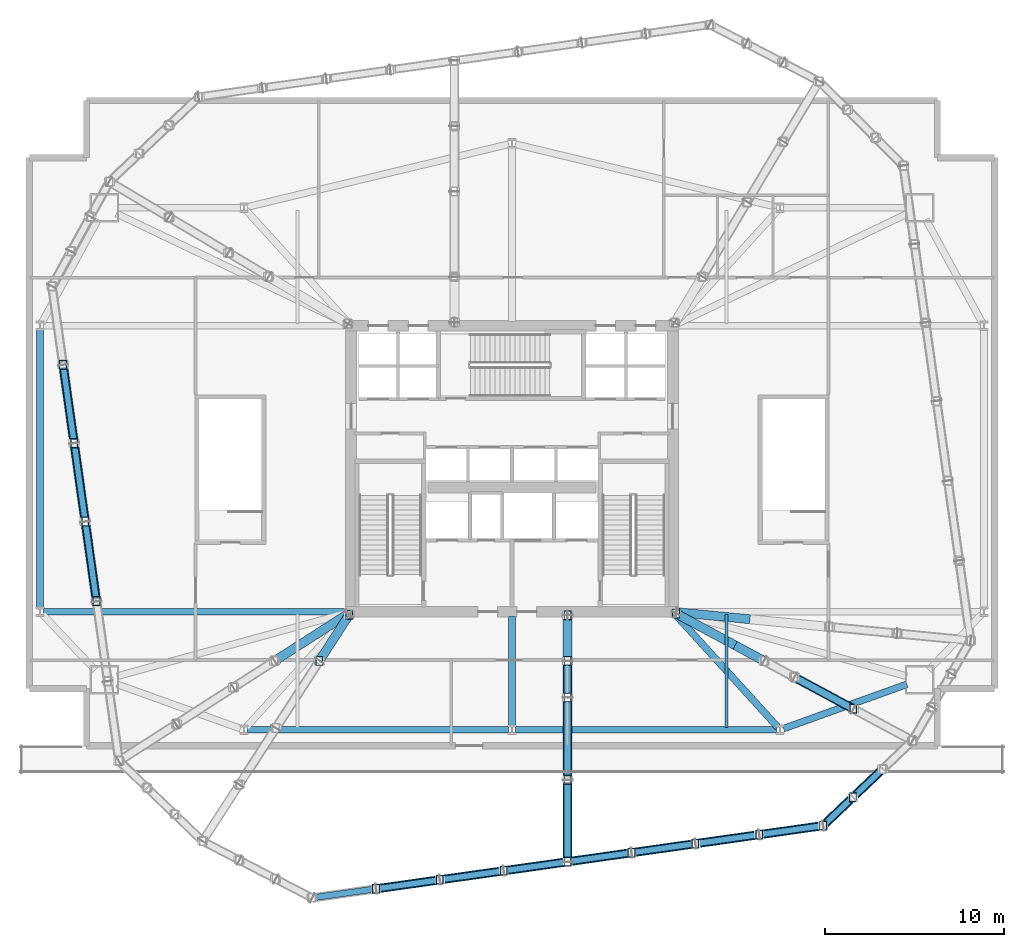
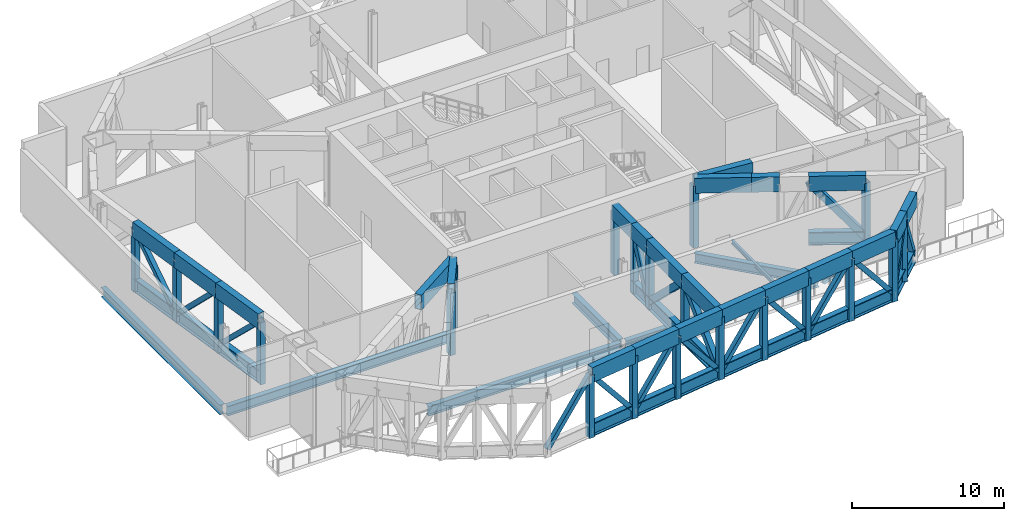
# One storey, part 2 of 15: 76 members, 8 beams.
"""IFC4 building model written with IfcOpenShell, lengths in metres."""

from ifc_helpers import new_model, si_unit, direction, frame, origin, origin_2d, place, context, subcontext, project, spatial, hollow_rectangle, i_section, extrude, material, material_profile, profile_set, type_object, element, save


model = new_model("IFC4")

# Units and contexts
model_context = context("Model", 3, precision=1e-05, world=origin(), true_north=direction((0.0, 1.0)))
body_context = subcontext(model_context, "Body", "Model", "MODEL_VIEW")
ifc_project = project(units=[si_unit("LENGTHUNIT", "METRE"), si_unit("AREAUNIT", "SQUARE_METRE"), si_unit("VOLUMEUNIT", "CUBIC_METRE"), si_unit("PLANEANGLEUNIT", "RADIAN"), si_unit("MASSUNIT", "GRAM", prefix="KILO")], contexts=[model_context])

# Site, building, storey
site_placement = place(None, origin())
site = spatial("IfcSite", under=ifc_project, at=site_placement, CompositionType="ELEMENT")
building_placement = place(site_placement, origin())
building = spatial("IfcBuilding", under=site, at=building_placement, Name="Haldenkirk Collegiate Tower", CompositionType="ELEMENT")
storey_placement = place(building_placement, frame((0.0, 0.0, 22.199951171875)))
storey = spatial("IfcBuildingStorey", under=building, at=storey_placement, Name="L04", CompositionType="ELEMENT", Elevation=22.199951171875)

# Beams
ifc_material_1 = material(Name="Steel ASTM A992 Grade 50", Category="steel")
ifc_material_profile_1 = material_profile(ifc_material_1, i_section(OverallWidth=0.381103515625, OverallDepth=0.77294921875, WebThickness=0.0166015625, FlangeThickness=0.027099609375, at=origin_2d()), Name="W30X173")
ifc_profile_set_1 = profile_set([ifc_material_profile_1], Name="Steel ASTM A992 Grade 50")
beam_type_1 = type_object("IfcBeamType", Name="BM-GIRDER-W30X173", PredefinedType="BEAM", material=ifc_profile_set_1)
for number, where, z_axis, x_axis, name in (
    (1, (21.199951171875, 11.39990234375, -0.806396484375), (1.0, 0.0, 0.0), (0.0, 1.0, 0.0), "L04 podium ring girder 02"),
    (2, (36.199951171875, 11.39990234375, -0.806396484375), (1.0, 0.0, 0.0), (0.0, 1.0, 0.0), "L04 podium ring girder 03"),
):
    element("IfcBeam", number, at=place(storey_placement, frame(where, z_axis=z_axis, x_axis=x_axis)), inside=storey, type_object=beam_type_1, Name=name, PredefinedType="BEAM", context=body_context, shape_type="SweptSolid", body=[
        extrude(i_section(OverallWidth=0.381103515625, OverallDepth=0.77294921875, WebThickness=0.0166015625, FlangeThickness=0.027099609375, at=origin_2d()), origin(), (0.0, 0.0, 1.0), 14.60009765625),
    ])
beam_1_placement = place(storey_placement, frame((51.188232421875, 11.467529296875, -0.806396484375), z_axis=(0.941194128141, 0.337866265189, 0.0), x_axis=(-0.337866265189, 0.941194128141, 0.0)))
element("IfcBeam", 3, at=beam_1_placement, inside=storey, type_object=beam_type_1, Name="L04 podium ring girder 04", PredefinedType="BEAM", context=body_context, shape_type="SweptSolid", body=[
    extrude(i_section(OverallWidth=0.381103515625, OverallDepth=0.77294921875, WebThickness=0.0166015625, FlangeThickness=0.027099609375, at=origin_2d()), origin(), (0.0, 0.0, 1.0), 7.337158203125),
])
beam_2_placement = place(storey_placement, frame((9.60009765625, 33.800048828125, -0.806396484375), z_axis=(0.0, -1.0, 0.0), x_axis=(1.0, 0.0, 0.0)))
element("IfcBeam", 4, at=beam_2_placement, inside=storey, type_object=beam_type_1, Name="L04 podium ring girder 13", PredefinedType="BEAM", context=body_context, shape_type="SweptSolid", body=[
    extrude(i_section(OverallWidth=0.381103515625, OverallDepth=0.77294921875, WebThickness=0.0166015625, FlangeThickness=0.027099609375, at=origin_2d()), origin(), (0.0, 0.0, 1.0), 15.60009765625),
])
beam_3_placement = place(storey_placement, frame((9.800048828125, 18.0, -0.806396484375), z_axis=(1.0, 0.0, 0.0), x_axis=(0.0, 1.0, 0.0)))
element("IfcBeam", 5, at=beam_3_placement, inside=storey, type_object=beam_type_1, Name="L04 podium radial girder 01", PredefinedType="BEAM", context=body_context, shape_type="SweptSolid", body=[
    extrude(i_section(OverallWidth=0.381103515625, OverallDepth=0.77294921875, WebThickness=0.0166015625, FlangeThickness=0.027099609375, at=origin_2d()), origin(), (0.0, 0.0, 1.0), 16.949951171875),
])
beam_4_placement = place(storey_placement, frame((36.0, 11.60009765625, -0.806396484375), z_axis=(0.0, 1.0, 0.0), x_axis=(-1.0, 0.0, 0.0)))
element("IfcBeam", 6, at=beam_4_placement, inside=storey, type_object=beam_type_1, Name="L04 podium radial girder 05", PredefinedType="BEAM", context=body_context, shape_type="SweptSolid", body=[
    extrude(i_section(OverallWidth=0.381103515625, OverallDepth=0.77294921875, WebThickness=0.0166015625, FlangeThickness=0.027099609375, at=origin_2d()), origin(), (0.0, 0.0, 1.0), 6.14990234375),
])
beam_5_placement = place(storey_placement, frame((50.865478515625, 11.548095703125, -0.806396484375), z_axis=(-0.672681402593, 0.739932247307, 0.0), x_axis=(-0.739932247307, -0.672681402593, 0.0)))
element("IfcBeam", 7, at=beam_5_placement, inside=storey, type_object=beam_type_1, Name="L04 podium radial girder 08", PredefinedType="BEAM", context=body_context, shape_type="SweptSolid", body=[
    extrude(i_section(OverallWidth=0.381103515625, OverallDepth=0.77294921875, WebThickness=0.0166015625, FlangeThickness=0.027099609375, at=origin_2d()), origin(), (0.0, 0.0, 1.0), 8.469482421875),
])
ifc_material_profile_2 = material_profile(ifc_material_1, i_section(OverallWidth=0.1650390625, OverallDepth=0.31005859375, WebThickness=0.005859375, FlangeThickness=0.009765625, at=origin_2d()), Name="W12X26")
ifc_profile_set_2 = profile_set([ifc_material_profile_2], Name="Steel ASTM A992 Grade 50")
beam_type_2 = type_object("IfcBeamType", Name="BM-JOIST-W12X26", PredefinedType="JOIST", material=ifc_profile_set_2)
beam_6_placement = place(storey_placement, frame((48.0, 11.5400390625, -0.574951171875), z_axis=(0.0, 1.0, 0.0), x_axis=(-1.0, 0.0, 0.0)))
element("IfcBeam", 8, at=beam_6_placement, inside=storey, type_object=beam_type_2, Name="L04 south bay floor joist 2", PredefinedType="JOIST", context=body_context, shape_type="SweptSolid", body=[
    extrude(i_section(OverallWidth=0.1650390625, OverallDepth=0.31005859375, WebThickness=0.005859375, FlangeThickness=0.009765625, at=origin_2d()), origin(), (0.0, 0.0, 1.0), 6.320068359375),
])

# Members
ifc_material_2 = material(Name="Steel ASTM A572 Grade 50", Category="steel")
ifc_material_profile_3 = material_profile(ifc_material_2, hollow_rectangle(XDim=0.5, YDim=1.199951171875, WallThickness=0.050048828125, at=origin_2d()), Name="BOX1200X500X50")
ifc_profile_set_3 = profile_set([ifc_material_profile_3], Name="Steel ASTM A572 Grade 50")
member_type_1 = type_object("IfcMemberType", Name="MBR-CHORD-BOX1200", PredefinedType="CHORD", material=ifc_profile_set_3)
member_1_placement = place(storey_placement, frame((26.891357421875, 17.83203125, 4.989990234375), z_axis=(-0.543402663011, -0.839472182882, 0.0), x_axis=(0.839472182882, -0.543402663011, 0.0)))
element("IfcMember", 9, at=member_1_placement, inside=storey, type_object=member_type_1, Name="Podium Transfer Truss Radial 01 top chord 1", PredefinedType="CHORD", context=body_context, shape_type="SweptSolid", body=[
    extrude(hollow_rectangle(XDim=0.5, YDim=1.199951171875, WallThickness=0.050048828125, at=origin_2d()), origin(), (0.0, 0.0, 1.0), 3.07568359375),
])
member_2_placement = place(storey_placement, frame((45.176025390625, 17.9052734375, 4.989990234375), z_axis=(0.880562946209, -0.473929211764, 0.0), x_axis=(0.473929211764, 0.880562946209, 0.0)))
element("IfcMember", 10, at=member_2_placement, inside=storey, type_object=member_type_1, Name="Podium Transfer Truss Radial 02 top chord 1", PredefinedType="CHORD", context=body_context, shape_type="SweptSolid", body=[
    extrude(hollow_rectangle(XDim=0.5, YDim=1.199951171875, WallThickness=0.050048828125, at=origin_2d()), origin(), (0.0, 0.0, 1.0), 3.7548828125),
])
member_3_placement = place(storey_placement, frame((48.482421875, 16.125732421875, 4.989990234375), z_axis=(0.880543218109, -0.473965864849, 0.0), x_axis=(0.473965864849, 0.880543218109, 0.0)))
element("IfcMember", 11, at=member_3_placement, inside=storey, type_object=member_type_1, Name="Podium Transfer Truss Radial 02 top chord 2", PredefinedType="CHORD", context=body_context, shape_type="SweptSolid", body=[
    extrude(hollow_rectangle(XDim=0.5, YDim=1.199951171875, WallThickness=0.050048828125, at=origin_2d()), origin(), (0.0, 0.0, 1.0), 1.84765625),
])
member_4_placement = place(storey_placement, frame((51.78857421875, 14.34619140625, 4.989990234375), z_axis=(0.880562946209, -0.473929211764, 0.0), x_axis=(0.473929211764, 0.880562946209, 0.0)))
element("IfcMember", 12, at=member_4_placement, inside=storey, type_object=member_type_1, Name="Podium Transfer Truss Radial 02 top chord 4", PredefinedType="CHORD", context=body_context, shape_type="SweptSolid", body=[
    extrude(hollow_rectangle(XDim=0.5, YDim=1.199951171875, WallThickness=0.050048828125, at=origin_2d()), origin(), (0.0, 0.0, 1.0), 3.7548828125),
])
member_5_placement = place(storey_placement, frame((39.10888671875, 17.800048828125, 4.989990234375), z_axis=(0.0, -1.0, 0.0), x_axis=(1.0, 0.0, 0.0)))
element("IfcMember", 13, at=member_5_placement, inside=storey, type_object=member_type_1, Name="Podium Transfer Truss Radial 05 top chord 1", PredefinedType="CHORD", context=body_context, shape_type="SweptSolid", body=[
    extrude(hollow_rectangle(XDim=0.5, YDim=1.199951171875, WallThickness=0.050048828125, at=origin_2d()), origin(), (0.0, 0.0, 1.0), 2.550048828125),
])
member_6_placement = place(storey_placement, frame((39.10888671875, 15.25, 4.989990234375), z_axis=(0.0, -1.0, 0.0), x_axis=(1.0, 0.0, 0.0)))
element("IfcMember", 14, at=member_6_placement, inside=storey, type_object=member_type_1, Name="Podium Transfer Truss Radial 05 top chord 2", PredefinedType="CHORD", context=body_context, shape_type="SweptSolid", body=[
    extrude(hollow_rectangle(XDim=0.5, YDim=1.199951171875, WallThickness=0.050048828125, at=origin_2d()), origin(), (0.0, 0.0, 1.0), 2.043701171875),
])
for number, where, z_axis, x_axis, name in (
    (15, (39.10888671875, 13.206298828125, 4.989990234375), (0.0, -1.0, 0.0), (1.0, 0.0, 0.0), "Podium Transfer Truss Radial 05 top chord 3"),
    (16, (39.10888671875, 8.612548828125, 4.989990234375), (0.0, -1.0, 0.0), (1.0, 0.0, 0.0), "Podium Transfer Truss Radial 05 top chord 4"),
):
    element("IfcMember", number, at=place(storey_placement, frame(where, z_axis=z_axis, x_axis=x_axis)), inside=storey, type_object=member_type_1, Name=name, PredefinedType="CHORD", context=body_context, shape_type="SweptSolid", body=[
        extrude(hollow_rectangle(XDim=0.5, YDim=1.199951171875, WallThickness=0.050048828125, at=origin_2d()), origin(), (0.0, 0.0, 1.0), 4.59375),
    ])
member_7_placement = place(storey_placement, frame((45.19921875, 17.980712890625, 4.989990234375), z_axis=(0.995372467714, -0.096091885798, 0.0), x_axis=(0.096091885798, 0.995372467714, 0.0)))
element("IfcMember", 17, at=member_7_placement, inside=storey, type_object=member_type_1, Name="Podium Transfer Truss Radial 06 top chord 1", PredefinedType="CHORD", context=body_context, shape_type="SweptSolid", body=[
    extrude(hollow_rectangle(XDim=0.5, YDim=1.199951171875, WallThickness=0.050048828125, at=origin_2d()), origin(), (0.0, 0.0, 1.0), 4.131103515625),
])
member_8_placement = place(storey_placement, frame((26.831787109375, 17.891845703125, 4.989990234375), z_axis=(-0.841183346286, -0.540750014268, 0.0), x_axis=(0.540750014268, -0.841183346286, 0.0)))
element("IfcMember", 18, at=member_8_placement, inside=storey, type_object=member_type_1, Name="Podium Transfer Truss Radial 08 top chord 1", PredefinedType="CHORD", context=body_context, shape_type="SweptSolid", body=[
    extrude(hollow_rectangle(XDim=0.5, YDim=1.199951171875, WallThickness=0.050048828125, at=origin_2d()), origin(), (0.0, 0.0, 1.0), 4.885498046875),
])
for number, where, z_axis, x_axis, name in (
    (19, (28.388427734375, 2.502685546875, 4.989990234375), (0.99014739658, 0.140029043583, 0.0), (-0.140029043583, 0.99014739658, 0.0), "Podium Transfer Truss Belt 02 top chord 2"),
    (20, (31.9619140625, 3.008056640625, 4.989990234375), (0.99014739658, 0.140029043583, 0.0), (-0.140029043583, 0.99014739658, 0.0), "Podium Transfer Truss Belt 02 top chord 3"),
    (21, (35.535400390625, 3.513427734375, 4.989990234375), (0.99014739658, 0.140029043583, 0.0), (-0.140029043583, 0.99014739658, 0.0), "Podium Transfer Truss Belt 02 top chord 4"),
    (22, (39.10888671875, 4.018798828125, 4.989990234375), (0.99014739658, 0.140029043583, 0.0), (-0.140029043583, 0.99014739658, 0.0), "Podium Transfer Truss Belt 03 top chord 1"),
):
    element("IfcMember", number, at=place(storey_placement, frame(where, z_axis=z_axis, x_axis=x_axis)), inside=storey, type_object=member_type_1, Name=name, PredefinedType="CHORD", context=body_context, shape_type="SweptSolid", body=[
        extrude(hollow_rectangle(XDim=0.5, YDim=1.199951171875, WallThickness=0.050048828125, at=origin_2d()), origin(), (0.0, 0.0, 1.0), 3.609130859375),
    ])
member_9_placement = place(storey_placement, frame((42.682373046875, 4.524169921875, 4.989990234375), z_axis=(0.990146070017, 0.140038423404, 0.0), x_axis=(-0.140038423404, 0.990146070017, 0.0)))
element("IfcMember", 23, at=member_9_placement, inside=storey, type_object=member_type_1, Name="Podium Transfer Truss Belt 03 top chord 2", PredefinedType="CHORD", context=body_context, shape_type="SweptSolid", body=[
    extrude(hollow_rectangle(XDim=0.5, YDim=1.199951171875, WallThickness=0.050048828125, at=origin_2d()), origin(), (0.0, 0.0, 1.0), 3.60888671875),
])
for number, where, z_axis, x_axis, name in (
    (24, (46.255615234375, 5.029541015625, 4.989990234375), (0.99014739658, 0.140029043583, 0.0), (-0.140029043583, 0.99014739658, 0.0), "Podium Transfer Truss Belt 03 top chord 3"),
    (25, (49.8291015625, 5.534912109375, 4.989990234375), (0.99014739658, 0.140029043583, 0.0), (-0.140029043583, 0.99014739658, 0.0), "Podium Transfer Truss Belt 03 top chord 4"),
):
    element("IfcMember", number, at=place(storey_placement, frame(where, z_axis=z_axis, x_axis=x_axis)), inside=storey, type_object=member_type_1, Name=name, PredefinedType="CHORD", context=body_context, shape_type="SweptSolid", body=[
        extrude(hollow_rectangle(XDim=0.5, YDim=1.199951171875, WallThickness=0.050048828125, at=origin_2d()), origin(), (0.0, 0.0, 1.0), 3.609130859375),
    ])
member_10_placement = place(storey_placement, frame((53.402587890625, 6.040283203125, 4.989990234375), z_axis=(0.725145316902, 0.688595867962, 0.0), x_axis=(-0.688595867962, 0.725145316902, 0.0)))
element("IfcMember", 26, at=member_10_placement, inside=storey, type_object=member_type_1, Name="Podium Transfer Truss Belt 04 top chord 1", PredefinedType="CHORD", context=body_context, shape_type="SweptSolid", body=[
    extrude(hollow_rectangle(XDim=0.5, YDim=1.199951171875, WallThickness=0.050048828125, at=origin_2d()), origin(), (0.0, 0.0, 1.0), 2.2978515625),
])
member_11_placement = place(storey_placement, frame((55.06884765625, 7.62255859375, 4.989990234375), z_axis=(0.725094931885, 0.688648923439, 0.0), x_axis=(-0.688648923439, 0.725094931885, 0.0)))
element("IfcMember", 27, at=member_11_placement, inside=storey, type_object=member_type_1, Name="Podium Transfer Truss Belt 04 top chord 2", PredefinedType="CHORD", context=body_context, shape_type="SweptSolid", body=[
    extrude(hollow_rectangle(XDim=0.5, YDim=1.199951171875, WallThickness=0.050048828125, at=origin_2d()), origin(), (0.0, 0.0, 1.0), 2.297607421875),
])
for number, where, z_axis, x_axis, name in (
    (28, (10.88671875, 31.826416015625, 4.989990234375), (0.14002482473, -0.990147993211, 0.0), (0.990147993211, 0.14002482473, 0.0), "Podium Transfer Truss Belt 14 top chord 2"),
    (29, (11.507080078125, 27.439697265625, 4.989990234375), (0.14002482473, -0.990147993211, 0.0), (0.990147993211, 0.14002482473, 0.0), "Podium Transfer Truss Belt 14 top chord 3"),
):
    element("IfcMember", number, at=place(storey_placement, frame(where, z_axis=z_axis, x_axis=x_axis)), inside=storey, type_object=member_type_1, Name=name, PredefinedType="CHORD", context=body_context, shape_type="SweptSolid", body=[
        extrude(hollow_rectangle(XDim=0.5, YDim=1.199951171875, WallThickness=0.050048828125, at=origin_2d()), origin(), (0.0, 0.0, 1.0), 4.430419921875),
    ])
member_12_placement = place(storey_placement, frame((12.12744140625, 23.052978515625, 4.989990234375), z_axis=(0.140049418268, -0.990144514928, 0.0), x_axis=(0.990144514928, 0.140049418268, 0.0)))
element("IfcMember", 30, at=member_12_placement, inside=storey, type_object=member_type_1, Name="Podium Transfer Truss Belt 15 top chord 1", PredefinedType="CHORD", context=body_context, shape_type="SweptSolid", body=[
    extrude(hollow_rectangle(XDim=0.5, YDim=1.199951171875, WallThickness=0.050048828125, at=origin_2d()), origin(), (0.0, 0.0, 1.0), 4.509765625),
])
ifc_material_3 = material(Name="Steel ASTM A913 Grade 65", Category="steel")
ifc_material_profile_4 = material_profile(ifc_material_3, i_section(OverallWidth=0.4189453125, OverallDepth=1.041015625, WebThickness=0.031005859375, FlangeThickness=0.055908203125, at=origin_2d()), Name="W40X397")
ifc_profile_set_4 = profile_set([ifc_material_profile_4], Name="Steel ASTM A913 Grade 65")
member_type_2 = type_object("IfcMemberType", Name="MBR-CHORD-W40X397", PredefinedType="CHORD", material=ifc_profile_set_4)
member_13_placement = place(storey_placement, frame((51.78857421875, 14.34619140625, 0.550048828125), z_axis=(0.880562946209, -0.473929211764, 0.0), x_axis=(0.473929211764, 0.880562946209, 0.0)))
element("IfcMember", 31, at=member_13_placement, inside=storey, type_object=member_type_2, Name="Podium Transfer Truss Radial 02 bottom chord 4", PredefinedType="CHORD", context=body_context, shape_type="SweptSolid", body=[
    extrude(i_section(OverallWidth=0.4189453125, OverallDepth=1.041015625, WebThickness=0.031005859375, FlangeThickness=0.055908203125, at=origin_2d()), origin(), (0.0, 0.0, 1.0), 3.7548828125),
])
member_14_placement = place(storey_placement, frame((39.10888671875, 15.25, 0.550048828125), z_axis=(0.0, -1.0, 0.0), x_axis=(1.0, 0.0, 0.0)))
element("IfcMember", 32, at=member_14_placement, inside=storey, type_object=member_type_2, Name="Podium Transfer Truss Radial 05 bottom chord 2", PredefinedType="CHORD", context=body_context, shape_type="SweptSolid", body=[
    extrude(i_section(OverallWidth=0.4189453125, OverallDepth=1.041015625, WebThickness=0.031005859375, FlangeThickness=0.055908203125, at=origin_2d()), origin(), (0.0, 0.0, 1.0), 2.043701171875),
])
for number, where, z_axis, x_axis, name in (
    (33, (39.10888671875, 13.206298828125, 0.550048828125), (0.0, -1.0, 0.0), (1.0, 0.0, 0.0), "Podium Transfer Truss Radial 05 bottom chord 3"),
    (34, (39.10888671875, 8.612548828125, 0.550048828125), (0.0, -1.0, 0.0), (1.0, 0.0, 0.0), "Podium Transfer Truss Radial 05 bottom chord 4"),
):
    element("IfcMember", number, at=place(storey_placement, frame(where, z_axis=z_axis, x_axis=x_axis)), inside=storey, type_object=member_type_2, Name=name, PredefinedType="CHORD", context=body_context, shape_type="SweptSolid", body=[
        extrude(i_section(OverallWidth=0.4189453125, OverallDepth=1.041015625, WebThickness=0.031005859375, FlangeThickness=0.055908203125, at=origin_2d()), origin(), (0.0, 0.0, 1.0), 4.59375),
    ])
for number, where, z_axis, x_axis, name in (
    (35, (28.388427734375, 2.502685546875, 0.550048828125), (0.99014739658, 0.140029043583, 0.0), (-0.140029043583, 0.99014739658, 0.0), "Podium Transfer Truss Belt 02 bottom chord 2"),
    (36, (31.9619140625, 3.008056640625, 0.550048828125), (0.99014739658, 0.140029043583, 0.0), (-0.140029043583, 0.99014739658, 0.0), "Podium Transfer Truss Belt 02 bottom chord 3"),
    (37, (35.535400390625, 3.513427734375, 0.550048828125), (0.99014739658, 0.140029043583, 0.0), (-0.140029043583, 0.99014739658, 0.0), "Podium Transfer Truss Belt 02 bottom chord 4"),
    (38, (39.10888671875, 4.018798828125, 0.550048828125), (0.99014739658, 0.140029043583, 0.0), (-0.140029043583, 0.99014739658, 0.0), "Podium Transfer Truss Belt 03 bottom chord 1"),
):
    element("IfcMember", number, at=place(storey_placement, frame(where, z_axis=z_axis, x_axis=x_axis)), inside=storey, type_object=member_type_2, Name=name, PredefinedType="CHORD", context=body_context, shape_type="SweptSolid", body=[
        extrude(i_section(OverallWidth=0.4189453125, OverallDepth=1.041015625, WebThickness=0.031005859375, FlangeThickness=0.055908203125, at=origin_2d()), origin(), (0.0, 0.0, 1.0), 3.609130859375),
    ])
member_15_placement = place(storey_placement, frame((42.682373046875, 4.524169921875, 0.550048828125), z_axis=(0.990146070017, 0.140038423404, 0.0), x_axis=(-0.140038423404, 0.990146070017, 0.0)))
element("IfcMember", 39, at=member_15_placement, inside=storey, type_object=member_type_2, Name="Podium Transfer Truss Belt 03 bottom chord 2", PredefinedType="CHORD", context=body_context, shape_type="SweptSolid", body=[
    extrude(i_section(OverallWidth=0.4189453125, OverallDepth=1.041015625, WebThickness=0.031005859375, FlangeThickness=0.055908203125, at=origin_2d()), origin(), (0.0, 0.0, 1.0), 3.60888671875),
])
for number, where, z_axis, x_axis, name in (
    (40, (46.255615234375, 5.029541015625, 0.550048828125), (0.99014739658, 0.140029043583, 0.0), (-0.140029043583, 0.99014739658, 0.0), "Podium Transfer Truss Belt 03 bottom chord 3"),
    (41, (49.8291015625, 5.534912109375, 0.550048828125), (0.99014739658, 0.140029043583, 0.0), (-0.140029043583, 0.99014739658, 0.0), "Podium Transfer Truss Belt 03 bottom chord 4"),
):
    element("IfcMember", number, at=place(storey_placement, frame(where, z_axis=z_axis, x_axis=x_axis)), inside=storey, type_object=member_type_2, Name=name, PredefinedType="CHORD", context=body_context, shape_type="SweptSolid", body=[
        extrude(i_section(OverallWidth=0.4189453125, OverallDepth=1.041015625, WebThickness=0.031005859375, FlangeThickness=0.055908203125, at=origin_2d()), origin(), (0.0, 0.0, 1.0), 3.609130859375),
    ])
member_16_placement = place(storey_placement, frame((53.402587890625, 6.040283203125, 0.550048828125), z_axis=(0.725145316902, 0.688595867962, 0.0), x_axis=(-0.688595867962, 0.725145316902, 0.0)))
element("IfcMember", 42, at=member_16_placement, inside=storey, type_object=member_type_2, Name="Podium Transfer Truss Belt 04 bottom chord 1", PredefinedType="CHORD", context=body_context, shape_type="SweptSolid", body=[
    extrude(i_section(OverallWidth=0.4189453125, OverallDepth=1.041015625, WebThickness=0.031005859375, FlangeThickness=0.055908203125, at=origin_2d()), origin(), (0.0, 0.0, 1.0), 2.2978515625),
])
member_17_placement = place(storey_placement, frame((55.06884765625, 7.62255859375, 0.550048828125), z_axis=(0.725094931885, 0.688648923439, 0.0), x_axis=(-0.688648923439, 0.725094931885, 0.0)))
element("IfcMember", 43, at=member_17_placement, inside=storey, type_object=member_type_2, Name="Podium Transfer Truss Belt 04 bottom chord 2", PredefinedType="CHORD", context=body_context, shape_type="SweptSolid", body=[
    extrude(i_section(OverallWidth=0.4189453125, OverallDepth=1.041015625, WebThickness=0.031005859375, FlangeThickness=0.055908203125, at=origin_2d()), origin(), (0.0, 0.0, 1.0), 2.297607421875),
])
for number, where, z_axis, x_axis, name in (
    (44, (10.88671875, 31.826416015625, 0.550048828125), (0.14002482473, -0.990147993211, 0.0), (0.990147993211, 0.14002482473, 0.0), "Podium Transfer Truss Belt 14 bottom chord 2"),
    (45, (11.507080078125, 27.439697265625, 0.550048828125), (0.14002482473, -0.990147993211, 0.0), (0.990147993211, 0.14002482473, 0.0), "Podium Transfer Truss Belt 14 bottom chord 3"),
):
    element("IfcMember", number, at=place(storey_placement, frame(where, z_axis=z_axis, x_axis=x_axis)), inside=storey, type_object=member_type_2, Name=name, PredefinedType="CHORD", context=body_context, shape_type="SweptSolid", body=[
        extrude(i_section(OverallWidth=0.4189453125, OverallDepth=1.041015625, WebThickness=0.031005859375, FlangeThickness=0.055908203125, at=origin_2d()), origin(), (0.0, 0.0, 1.0), 4.430419921875),
    ])
member_18_placement = place(storey_placement, frame((12.12744140625, 23.052978515625, 0.550048828125), z_axis=(0.140049418268, -0.990144514928, 0.0), x_axis=(0.990144514928, 0.140049418268, 0.0)))
element("IfcMember", 46, at=member_18_placement, inside=storey, type_object=member_type_2, Name="Podium Transfer Truss Belt 15 bottom chord 1", PredefinedType="CHORD", context=body_context, shape_type="SweptSolid", body=[
    extrude(i_section(OverallWidth=0.4189453125, OverallDepth=1.041015625, WebThickness=0.031005859375, FlangeThickness=0.055908203125, at=origin_2d()), origin(), (0.0, 0.0, 1.0), 4.509765625),
])
ifc_material_profile_5 = material_profile(ifc_material_2, hollow_rectangle(XDim=0.35009765625, YDim=0.35009765625, WallThickness=0.01611328125, at=origin_2d()), Name="HSS350X350X16")
ifc_profile_set_5 = profile_set([ifc_material_profile_5], Name="Steel ASTM A572 Grade 50")
member_type_3 = type_object("IfcMemberType", Name="MBR-TRUSSDIAG-HSS350X350X16", PredefinedType="BRACE", material=ifc_profile_set_5)
for number, where, z_axis, x_axis, name in (
    (47, (24.815185546875, 1.997314453125, 0.550048828125), (0.624519594579, 0.088327108553, 0.775998452242), (-0.140038423404, 0.990146070017, 0.0), "Podium Transfer Truss Belt 02 web diagonal 1"),
    (48, (28.388427734375, 2.502685546875, 4.989990234375), (0.624545621245, 0.088324754798, -0.775977773312), (-0.140029043583, 0.99014739658, 0.0), "Podium Transfer Truss Belt 02 web diagonal 2"),
    (49, (31.9619140625, 3.008056640625, 0.550048828125), (0.624545621245, 0.088324754798, 0.775977773312), (-0.140029043583, 0.99014739658, 0.0), "Podium Transfer Truss Belt 02 web diagonal 3"),
    (50, (35.535400390625, 3.513427734375, 4.989990234375), (0.624545621245, 0.088324754798, -0.775977773312), (-0.140029043583, 0.99014739658, 0.0), "Podium Transfer Truss Belt 02 web diagonal 4"),
    (51, (39.10888671875, 4.018798828125, 0.550048828125), (0.624545621245, 0.088324754798, 0.775977773312), (-0.140029043583, 0.99014739658, 0.0), "Podium Transfer Truss Belt 03 web diagonal 1"),
    (52, (42.682373046875, 4.524169921875, 4.989990234375), (0.624519594579, 0.088327108553, -0.775998452242), (-0.140038423404, 0.990146070017, 0.0), "Podium Transfer Truss Belt 03 web diagonal 2"),
    (53, (46.255615234375, 5.029541015625, 0.550048828125), (0.624545621245, 0.088324754798, 0.775977773312), (-0.140029043583, 0.99014739658, 0.0), "Podium Transfer Truss Belt 03 web diagonal 3"),
    (54, (49.8291015625, 5.534912109375, 4.989990234375), (0.624545621245, 0.088324754798, -0.775977773312), (-0.140029043583, 0.99014739658, 0.0), "Podium Transfer Truss Belt 03 web diagonal 4"),
):
    element("IfcMember", number, at=place(storey_placement, frame(where, z_axis=z_axis, x_axis=x_axis)), inside=storey, type_object=member_type_3, Name=name, PredefinedType="BRACE", context=body_context, shape_type="SweptSolid", body=[
        extrude(hollow_rectangle(XDim=0.35009765625, YDim=0.35009765625, WallThickness=0.01611328125, at=origin_2d()), origin(), (0.0, 0.0, 1.0), 5.7216796875),
    ])
for number, where, z_axis, x_axis, name in (
    (55, (53.402587890625, 6.040283203125, 0.550048828125), (0.333297973358, 0.316498778804, 0.888110907472), (-0.688595867962, 0.725145316902, 0.0), "Podium Transfer Truss Belt 04 web diagonal 1"),
    (56, (55.06884765625, 7.62255859375, 4.989990234375), (0.333254562376, 0.316503930064, -0.888125362159), (-0.688648923439, 0.725094931885, 0.0), "Podium Transfer Truss Belt 04 web diagonal 2"),
):
    element("IfcMember", number, at=place(storey_placement, frame(where, z_axis=z_axis, x_axis=x_axis)), inside=storey, type_object=member_type_3, Name=name, PredefinedType="BRACE", context=body_context, shape_type="SweptSolid", body=[
        extrude(hollow_rectangle(XDim=0.35009765625, YDim=0.35009765625, WallThickness=0.01611328125, at=origin_2d()), origin(), (0.0, 0.0, 1.0), 4.999267578125),
    ])
for number, where, z_axis, x_axis, name in (
    (57, (10.88671875, 31.826416015625, 4.989990234375), (0.098905570915, -0.699384218103, -0.707869623243), (0.990147993211, 0.14002482473, 0.0), "Podium Transfer Truss Belt 14 web diagonal 2"),
    (58, (11.507080078125, 27.439697265625, 0.550048828125), (0.098905570915, -0.699384218103, 0.707869623243), (0.990147993211, 0.14002482473, 0.0), "Podium Transfer Truss Belt 14 web diagonal 3"),
):
    element("IfcMember", number, at=place(storey_placement, frame(where, z_axis=z_axis, x_axis=x_axis)), inside=storey, type_object=member_type_3, Name=name, PredefinedType="BRACE", context=body_context, shape_type="SweptSolid", body=[
        extrude(hollow_rectangle(XDim=0.35009765625, YDim=0.35009765625, WallThickness=0.01611328125, at=origin_2d()), origin(), (0.0, 0.0, 1.0), 6.272216796875),
    ])
member_19_placement = place(storey_placement, frame((12.12744140625, 23.052978515625, 0.550048828125), z_axis=(0.099799607537, -0.705579753325, 0.701567708801), x_axis=(0.990144514928, 0.140049418268, 0.0)))
element("IfcMember", 59, at=member_19_placement, inside=storey, type_object=member_type_3, Name="Podium Transfer Truss Belt 15 web diagonal 1", PredefinedType="BRACE", context=body_context, shape_type="SweptSolid", body=[
    extrude(hollow_rectangle(XDim=0.35009765625, YDim=0.35009765625, WallThickness=0.01611328125, at=origin_2d()), origin(), (0.0, 0.0, 1.0), 6.32861328125),
])
ifc_material_profile_6 = material_profile(ifc_material_2, hollow_rectangle(XDim=0.39990234375, YDim=0.5, WallThickness=0.02490234375, at=origin_2d()), Name="HSS500X400X25")
ifc_profile_set_6 = profile_set([ifc_material_profile_6], Name="Steel ASTM A572 Grade 50")
member_type_4 = type_object("IfcMemberType", Name="MBR-TRUSSDIAG-HSS500X400X25", PredefinedType="BRACE", material=ifc_profile_set_6)
member_20_placement = place(storey_placement, frame((51.78857421875, 14.34619140625, 4.989990234375), z_axis=(0.56861568433, -0.306035569895, -0.76355643766), x_axis=(0.473929211764, 0.880562946209, 0.0)))
element("IfcMember", 60, at=member_20_placement, inside=storey, type_object=member_type_4, Name="Podium Transfer Truss Radial 02 web diagonal 4", PredefinedType="BRACE", context=body_context, shape_type="SweptSolid", body=[
    extrude(hollow_rectangle(XDim=0.39990234375, YDim=0.5, WallThickness=0.02490234375, at=origin_2d()), origin(), (0.0, 0.0, 1.0), 5.814697265625),
])
member_21_placement = place(storey_placement, frame((39.10888671875, 15.25, 4.989990234375), z_axis=(0.0, -0.418129866686, -0.90838726025), x_axis=(1.0, 0.0, 0.0)))
element("IfcMember", 61, at=member_21_placement, inside=storey, type_object=member_type_4, Name="Podium Transfer Truss Radial 05 web diagonal 2", PredefinedType="BRACE", context=body_context, shape_type="SweptSolid", body=[
    extrude(hollow_rectangle(XDim=0.39990234375, YDim=0.5, WallThickness=0.02490234375, at=origin_2d()), origin(), (0.0, 0.0, 1.0), 4.8876953125),
])
for number, where, z_axis, x_axis, name in (
    (62, (39.10888671875, 13.206298828125, 0.550048828125), (0.0, -0.719041843329, 0.69496678161), (1.0, 0.0, 0.0), "Podium Transfer Truss Radial 05 web diagonal 3"),
    (63, (39.10888671875, 8.612548828125, 4.989990234375), (0.0, -0.719041843329, -0.69496678161), (1.0, 0.0, 0.0), "Podium Transfer Truss Radial 05 web diagonal 4"),
):
    element("IfcMember", number, at=place(storey_placement, frame(where, z_axis=z_axis, x_axis=x_axis)), inside=storey, type_object=member_type_4, Name=name, PredefinedType="BRACE", context=body_context, shape_type="SweptSolid", body=[
        extrude(hollow_rectangle(XDim=0.39990234375, YDim=0.5, WallThickness=0.02490234375, at=origin_2d()), origin(), (0.0, 0.0, 1.0), 6.388671875),
    ])
ifc_material_profile_7 = material_profile(ifc_material_2, hollow_rectangle(XDim=0.39990234375, YDim=0.5, WallThickness=0.02490234375, at=origin_2d()), Name="HSS500X400X25")
ifc_profile_set_7 = profile_set([ifc_material_profile_7], Name="Steel ASTM A572 Grade 50")
member_type_5 = type_object("IfcMemberType", Name="MBR-TRUSSPOST-HSS500X400X25", PredefinedType="POST", material=ifc_profile_set_7)
for number, where, z_axis, x_axis, name in (
    (64, (26.891357421875, 17.83203125, 0.0), (0.0, 0.0, 1.0), (1.0, 0.0, 0.0), "Podium Transfer Truss Radial 01 vertical post 1"),
    (65, (25.219970703125, 15.25, 0.0), (0.0, 0.0, 1.0), (1.0, 0.0, 0.0), "Podium Transfer Truss Radial 01 vertical post 2"),
    (66, (45.176025390625, 17.9052734375, 0.0), (0.0, 0.0, 1.0), (1.0, 0.0, 0.0), "Podium Transfer Truss Radial 02 vertical post 1"),
    (67, (55.094970703125, 12.566650390625, 0.0), (0.0, 0.0, 1.0), (1.0, 0.0, 0.0), "Podium Transfer Truss Radial 02 vertical post 5"),
    (68, (39.10888671875, 17.800048828125, 0.0), (0.0, 0.0, 1.0), (1.0, 0.0, 0.0), "Podium Transfer Truss Radial 05 vertical post 1"),
    (69, (39.10888671875, 15.25, 0.0), (0.0, 0.0, 1.0), (1.0, 0.0, 0.0), "Podium Transfer Truss Radial 05 vertical post 2"),
    (70, (39.10888671875, 13.206298828125, 0.0), (0.0, 0.0, 1.0), (1.0, 0.0, 0.0), "Podium Transfer Truss Radial 05 vertical post 3"),
    (71, (39.10888671875, 8.612548828125, 0.0), (0.0, 0.0, 1.0), (1.0, 0.0, 0.0), "Podium Transfer Truss Radial 05 vertical post 4"),
    (72, (39.10888671875, 4.018798828125, 0.0), (0.0, 0.0, 1.0), (1.0, 0.0, 0.0), "Podium Transfer Truss Radial 05 vertical post 5"),
    (73, (28.388427734375, 2.502685546875, 0.0), (0.0, 0.0, 1.0), (1.0, 0.0, 0.0), "Podium Transfer Truss Belt 02 vertical post 2"),
    (74, (31.9619140625, 3.008056640625, 0.0), (0.0, 0.0, 1.0), (1.0, 0.0, 0.0), "Podium Transfer Truss Belt 02 vertical post 3"),
    (75, (35.535400390625, 3.513427734375, 0.0), (0.0, 0.0, 1.0), (1.0, 0.0, 0.0), "Podium Transfer Truss Belt 02 vertical post 4"),
    (76, (42.682373046875, 4.524169921875, 0.0), (0.0, 0.0, 1.0), (1.0, 0.0, 0.0), "Podium Transfer Truss Belt 03 vertical post 2"),
    (77, (46.255615234375, 5.029541015625, 0.0), (0.0, 0.0, 1.0), (1.0, 0.0, 0.0), "Podium Transfer Truss Belt 03 vertical post 3"),
    (78, (49.8291015625, 5.534912109375, 0.0), (0.0, 0.0, 1.0), (1.0, 0.0, 0.0), "Podium Transfer Truss Belt 03 vertical post 4"),
    (79, (53.402587890625, 6.040283203125, 0.0), (0.0, 0.0, 1.0), (1.0, 0.0, 0.0), "Podium Transfer Truss Belt 03 vertical post 5"),
    (80, (55.06884765625, 7.62255859375, 0.0), (0.0, 0.0, 1.0), (1.0, 0.0, 0.0), "Podium Transfer Truss Belt 04 vertical post 2"),
    (81, (10.88671875, 31.826416015625, 0.0), (0.0, 0.0, 1.0), (1.0, 0.0, 0.0), "Podium Transfer Truss Belt 14 vertical post 2"),
    (82, (11.507080078125, 27.439697265625, 0.0), (0.0, 0.0, 1.0), (1.0, 0.0, 0.0), "Podium Transfer Truss Belt 14 vertical post 3"),
    (83, (12.12744140625, 23.052978515625, 0.0), (0.0, 0.0, 1.0), (1.0, 0.0, 0.0), "Podium Transfer Truss Belt 14 vertical post 4"),
    (84, (12.759033203125, 18.587646484375, 0.0), (0.0, 0.0, 1.0), (1.0, 0.0, 0.0), "Podium Transfer Truss Belt 15 vertical post 2"),
):
    element("IfcMember", number, at=place(storey_placement, frame(where, z_axis=z_axis, x_axis=x_axis)), inside=storey, type_object=member_type_5, Name=name, PredefinedType="POST", context=body_context, shape_type="SweptSolid", body=[
        extrude(hollow_rectangle(XDim=0.39990234375, YDim=0.5, WallThickness=0.02490234375, at=origin_2d()), origin(), (0.0, 0.0, 1.0), 4.989990234375),
    ])

save(model, "model.ifc")
